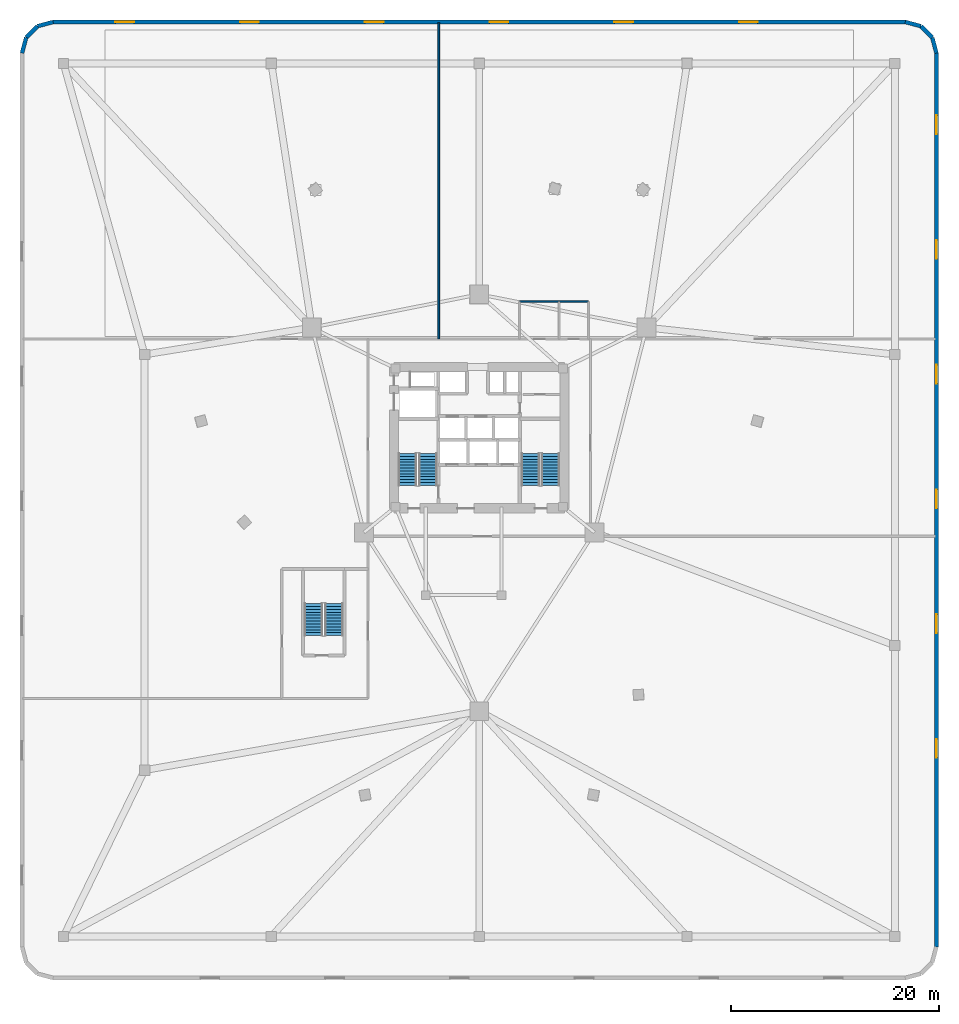
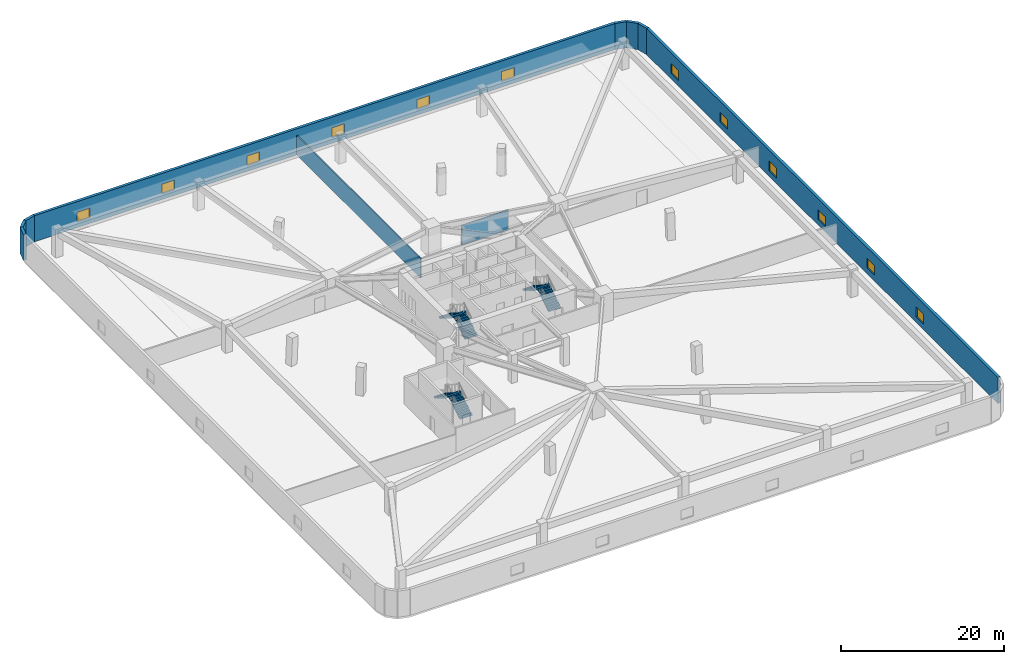
# One storey, part 8 of 10: 12 windows, 10 walls, 6 stair flights, 12 openings, 3 elements without a shape of their own.
"""IFC4 building model written with IfcOpenShell, lengths in metres."""

import ifcopenshell
import ifcopenshell.guid

model = None  # the IFC model being written
_history = None  # IfcOwnerHistory: only IFC2X3 demands one
_inside = {}  # id of a spatial element -> (the spatial element, [elements in it])
_under = {}  # id of a project, library or spatial element -> (it, [spatial elements below it])
_declared = {}  # id of a project -> (the project, [libraries it declares])
_typed = {}  # id of a type object -> (the type object, [elements of that type])
_made_of = {}  # id of a material, layer set ... -> (it, [elements and type objects made of it])


def new_model(schema):
    """Start an empty IFC model of exactly this schema.

    Asked for "IFC4X3", IfcOpenShell would pick the latest addendum, in which some entities
    have other attributes; the version numbers below select the first issue.
    IFC2X3 requires an IfcOwnerHistory on every rooted entity: one is made here for all.
    """
    global model, _history
    if schema == "IFC4X3":
        model = ifcopenshell.file(schema_version=(4, 3, 0, 0))
    else:
        model = ifcopenshell.file(schema=schema)
    _inside.clear()
    _under.clear()
    _declared.clear()
    _typed.clear()
    _made_of.clear()
    _history = None
    if model.schema == "IFC2X3":
        org = make("IfcOrganization", Name="unknown")
        user = make(
            "IfcPersonAndOrganization",
            ThePerson=make("IfcPerson", FamilyName="unknown"),
            TheOrganization=org,
        )
        app = make(
            "IfcApplication",
            ApplicationDeveloper=org,
            Version="unknown",
            ApplicationFullName="unknown",
            ApplicationIdentifier="unknown",
        )
        _history = make(
            "IfcOwnerHistory",
            OwningUser=user,
            OwningApplication=app,
            ChangeAction="ADDED",
            CreationDate=0,
        )
    return model


def make(cls, **values):
    """One entity of the class cls with the attributes given. An attribute that is None is left unset."""
    return model.create_entity(
        cls, **{name: value for name, value in values.items() if value is not None}
    )


def rooted(cls, **values):
    """An entity with a GlobalId (a new one), such as an element, a storey or a relation."""
    return make(cls, GlobalId=ifcopenshell.guid.new(), OwnerHistory=_history, **values)


def si_unit(unit_type, name, prefix=None):
    """IfcSIUnit, for example si_unit("LENGTHUNIT", "METRE", prefix="MILLI")."""
    return make("IfcSIUnit", UnitType=unit_type, Prefix=prefix, Name=name)


def assignment(units):
    """IfcUnitAssignment: the units of a project."""
    return None if units is None else make("IfcUnitAssignment", Units=units)


def point(xyz):
    """IfcCartesianPoint."""
    return None if xyz is None else make("IfcCartesianPoint", Coordinates=xyz)


def direction(xyz):
    """IfcDirection."""
    return None if xyz is None else make("IfcDirection", DirectionRatios=xyz)


def frame(location, z_axis=None, x_axis=None):
    """IfcAxis2Placement3D, a coordinate frame: its origin and axes. An axis left out is left unset."""
    return make(
        "IfcAxis2Placement3D",
        Location=point(location),
        Axis=direction(z_axis),
        RefDirection=direction(x_axis),
    )


def frame_2d(location, x_axis=None):
    """IfcAxis2Placement2D, a coordinate frame in the plane: its origin and x axis."""
    return make(
        "IfcAxis2Placement2D", Location=point(location), RefDirection=direction(x_axis)
    )


def origin():
    """The frame at (0, 0, 0) with its axes left unset."""
    return frame((0.0, 0.0, 0.0))


def place(relative_to, where):
    """IfcLocalPlacement: puts the frame where relative to a parent placement (None: the world)."""
    return make(
        "IfcLocalPlacement", PlacementRelTo=relative_to, RelativePlacement=where
    )


def context(
    kind, dimensions, precision=None, world=None, true_north=None, identifier=None
):
    """IfcGeometricRepresentationContext, for example the 3D "Model" context."""
    return make(
        "IfcGeometricRepresentationContext",
        ContextIdentifier=identifier,
        ContextType=kind,
        CoordinateSpaceDimension=dimensions,
        Precision=precision,
        WorldCoordinateSystem=world,
        TrueNorth=true_north,
    )


def subcontext(parent, identifier, kind, view, scale=None):
    """IfcGeometricRepresentationSubContext, for example "Body" below "Model"."""
    return make(
        "IfcGeometricRepresentationSubContext",
        ContextIdentifier=identifier,
        ContextType=kind,
        ParentContext=parent,
        TargetScale=scale,
        TargetView=view,
    )


def project(units=None, contexts=None):
    """IfcProject with its units and contexts."""
    return rooted(
        "IfcProject",
        Name="project",
        RepresentationContexts=contexts,
        UnitsInContext=assignment(units),
    )


def spatial(cls, under=None, at=None, **own):
    """A site, building, storey or space (cls), placed at a placement, below another one or the project."""
    s = rooted(cls, ObjectPlacement=at, **own)
    if under is not None:
        _under.setdefault(under.id(), (under, []))[1].append(s)
    return s


def polyline(points):
    """IfcPolyline through the points."""
    return make("IfcPolyline", Points=[point(p) for p in points])


def profile(cls, at=None, kind="AREA", **sizes):
    """A parametric profile (cls). Its sizes go by their IFC names, for example OverallWidth=200.0."""
    return make(cls, ProfileType=kind, Position=at, **sizes)


def rectangle(**sizes):
    """IfcRectangleProfileDef."""
    return profile("IfcRectangleProfileDef", **sizes)


def outline(outer, holes=None, kind="AREA"):
    """IfcArbitraryClosedProfileDef: a profile drawn as a closed curve; with holes, ...WithVoids."""
    if holes is None:
        return make("IfcArbitraryClosedProfileDef", ProfileType=kind, OuterCurve=outer)
    return make(
        "IfcArbitraryProfileDefWithVoids",
        ProfileType=kind,
        OuterCurve=outer,
        InnerCurves=holes,
    )


def extrude(swept, where, along, depth):
    """IfcExtrudedAreaSolid: the profile swept, set in the frame where, extruded along a direction by depth."""
    return make(
        "IfcExtrudedAreaSolid",
        SweptArea=swept,
        Position=where,
        ExtrudedDirection=direction(along),
        Depth=depth,
    )


def shape(context_of_items, identifier, shape_type, items):
    """IfcShapeRepresentation: the items that make up one representation, for example the "Body"."""
    return make(
        "IfcShapeRepresentation",
        ContextOfItems=context_of_items,
        RepresentationIdentifier=identifier,
        RepresentationType=shape_type,
        Items=items,
    )


def material(Name=None, Category=None):
    """IfcMaterial."""
    return make("IfcMaterial", Name=Name, Category=Category)


def layer(
    of_material, thickness, ventilated=None, Name=None, Category=None, Priority=None
):
    """IfcMaterialLayer: one layer of a wall or slab, of a material (None: an air gap)."""
    return make(
        "IfcMaterialLayer",
        Material=of_material,
        LayerThickness=thickness,
        IsVentilated=ventilated,
        Name=Name,
        Category=Category,
        Priority=Priority,
    )


def layer_set(layers, Name=None):
    """IfcMaterialLayerSet."""
    return make("IfcMaterialLayerSet", MaterialLayers=layers, LayerSetName=Name)


def made_of(thing, what):
    """Note that an element or type object is made of a material, layer set ...; save() writes the relation."""
    if what is not None:
        _made_of.setdefault(what.id(), (what, []))[1].append(thing)
    return thing


def type_object(cls, material=None, **own):
    """A type object (cls), such as IfcWallType, which elements share."""
    return made_of(rooted(cls, **own), material)


def element(
    cls,
    number,
    at=None,
    inside=None,
    cuts=None,
    type_object=None,
    material=None,
    context=None,
    identifier="Body",
    shape_type=None,
    held_by="IfcProductDefinitionShape",
    body=None,
    shapes=None,
    **own,
):
    """One element of the class cls, such as IfcWall. Its Tag is "e" and its number.

    at: its placement. inside: the storey or other place that contains it. cuts: it is an
    opening in that element (IfcRelVoidsElement). A single representation is given by context,
    identifier, shape_type and body (its items); several are given by shapes. held_by: the class
    of the entity that holds the representations. save() writes the other relations.
    """
    e = rooted(cls, Tag="e%d" % number, ObjectPlacement=at, **own)
    if body is not None:
        shapes = [shape(context, identifier, shape_type, body)]
    if shapes is not None:
        e.Representation = make(held_by, Representations=shapes)
    if inside is not None:
        _inside.setdefault(inside.id(), (inside, []))[1].append(e)
    if cuts is not None:
        rooted(
            "IfcRelVoidsElement", RelatingBuildingElement=cuts, RelatedOpeningElement=e
        )
    if type_object is not None:
        _typed.setdefault(type_object.id(), (type_object, []))[1].append(e)
    return made_of(e, material)


def fill(opening, filler):
    """IfcRelFillsElement: the door or window that sits in an opening."""
    return rooted(
        "IfcRelFillsElement",
        RelatingOpeningElement=opening,
        RelatedBuildingElement=filler,
    )


def aggregate(whole, parts):
    """IfcRelAggregates: a whole, such as a stair, and the parts it consists of."""
    return rooted("IfcRelAggregates", RelatingObject=whole, RelatedObjects=parts)


def save(model, path):
    """Write the relations noted so far, then the file.

    IfcRelAggregates (storeys below a building ...), IfcRelContainedInSpatialStructure (elements
    in a storey), IfcRelDefinesByType, IfcRelAssociatesMaterial and IfcRelDeclares: one each for
    every whole, place, type object, material and project.
    """
    for whole, parts in _under.values():
        aggregate(whole, parts)
    for where, things in _inside.values():
        rooted(
            "IfcRelContainedInSpatialStructure",
            RelatedElements=things,
            RelatingStructure=where,
        )
    for kind, things in _typed.values():
        rooted("IfcRelDefinesByType", RelatedObjects=things, RelatingType=kind)
    for what, things in _made_of.values():
        rooted("IfcRelAssociatesMaterial", RelatedObjects=things, RelatingMaterial=what)
    for by, libraries in _declared.values():
        rooted("IfcRelDeclares", RelatingContext=by, RelatedDefinitions=libraries)
    model.write(path)


model = new_model("IFC4")

# Units and contexts
model_context = context("Model", 3, precision=1e-05, world=origin(), true_north=direction((0.0, 1.0)))
body_context = subcontext(model_context, "Body", "Model", "MODEL_VIEW")
ifc_project = project(units=[si_unit("LENGTHUNIT", "METRE"), si_unit("AREAUNIT", "SQUARE_METRE"), si_unit("VOLUMEUNIT", "CUBIC_METRE"), si_unit("PLANEANGLEUNIT", "RADIAN"), si_unit("MASSUNIT", "GRAM", prefix="KILO")], contexts=[model_context])

# Site, building, storey
site_placement = place(None, origin())
site = spatial("IfcSite", under=ifc_project, at=site_placement, CompositionType="ELEMENT")
building_placement = place(site_placement, origin())
building = spatial("IfcBuilding", under=site, at=building_placement, Name="Talyreon Biosciences Tower", CompositionType="ELEMENT")
storey_placement = place(building_placement, frame((0.0, 0.0, 10.199951171875)))
storey = spatial("IfcBuildingStorey", under=building, at=storey_placement, Name="L02", CompositionType="ELEMENT", Elevation=10.199951171875)

# Walls
ifc_material_1 = material(Name="Gypsum acoustic stud partition", Category="gypsum")
ifc_layer_1 = layer(ifc_material_1, 0.159912109375)
ifc_layer_set_1 = layer_set([ifc_layer_1], Name="Gypsum acoustic stud partition")
wall_type_1 = type_object("IfcWallType", Name="LabSeparationPartition_160", PredefinedType="PARTITIONING", material=ifc_layer_set_1)
wall_1_placement = place(storey_placement, frame((62.10009765625, 77.5, 0.0), z_axis=(0.0, 0.0, 1.0), x_axis=(0.0, 1.0, 0.0)))
element("IfcWall", 1, at=wall_1_placement, inside=storey, type_object=wall_type_1, Name="L02 Interior Wall IW-L02-NDIV", PredefinedType="PARTITIONING", context=body_context, shape_type="SweptSolid", body=[
    extrude(rectangle(XDim=30.4150390625, YDim=0.159912109375, at=frame_2d((15.20751953125, 0.0))), origin(), (0.0, 0.0, 1.0), 2.929931640625),
])
ifc_material_2 = material(Name="Precast concrete C45/55", Category="concrete")
ifc_layer_2 = layer(ifc_material_2, 0.3798828125)
ifc_layer_set_2 = layer_set([ifc_layer_2], Name="Precast concrete C45/55")
wall_type_2 = type_object("IfcWallType", Name="PrecastConcretePodiumWall_380", PredefinedType="STANDARD", material=ifc_layer_set_2)
for number, where, z_axis, x_axis, name in (
    (2, (22.0, 105.0, 0.0), (0.0, 0.0, 1.0), (0.258777996848, 0.965936824201, 0.0), "L02 Podium Concrete Frame Wall 06"),
    (3, (22.40185546875, 106.5, 0.0), (0.0, 0.0, 1.0), (0.707106781187, 0.707106781187, 0.0), "L02 Podium Concrete Frame Wall 07"),
    (4, (23.5, 107.59814453125, 0.0), (0.0, 0.0, 1.0), (0.965936824201, 0.258777996848, 0.0), "L02 Podium Concrete Frame Wall 08"),
):
    element("IfcWall", number, at=place(storey_placement, frame(where, z_axis=z_axis, x_axis=x_axis)), inside=storey, type_object=wall_type_2, Name=name, PredefinedType="STANDARD", context=body_context, shape_type="SweptSolid", body=[
        extrude(rectangle(XDim=1.552978515625, YDim=0.3798828125, at=frame_2d((0.7763671875, 0.0))), origin(), (0.0, 0.0, 1.0), 3.900146484375),
    ])

# Wall, openings, windows
wall_2_placement = place(storey_placement, frame((25.0, 108.0, 0.0), z_axis=(0.0, 0.0, 1.0), x_axis=(1.0, 0.0, 0.0)))
wall_2 = element("IfcWall", 5, at=wall_2_placement, inside=storey, type_object=wall_type_2, Name="L02 Podium Concrete Frame Wall 09", PredefinedType="STANDARD", context=body_context, shape_type="SweptSolid", body=[
    extrude(rectangle(XDim=82.0, YDim=0.3798828125, at=frame_2d((41.0, 0.0))), origin(), (0.0, 0.0, 1.0), 3.900146484375),
])
opening_1_placement = place(wall_2_placement, frame((6.0, 0.0, 0.85009765625)))
opening_1 = element("IfcOpeningElement", 6, at=opening_1_placement, cuts=wall_2, Name="Opening W02", PredefinedType="OPENING", context=body_context, shape_type="SweptSolid", body=[
    extrude(rectangle(XDim=1.800048828125, YDim=1.449951171875, at=frame_2d((0.89990234375, 0.72509765625))), frame((0.0, 0.199951171875, 0.0), z_axis=(0.0, -1.0, 0.0), x_axis=(1.0, 0.0, 0.0)), (0.0, 0.0, 1.0), 0.39990234375),
])
opening_2_placement = place(wall_2_placement, frame((18.0, 0.0, 0.85009765625)))
opening_2 = element("IfcOpeningElement", 7, at=opening_2_placement, cuts=wall_2, Name="Opening W02", PredefinedType="OPENING", context=body_context, shape_type="SweptSolid", body=[
    extrude(rectangle(XDim=1.800048828125, YDim=1.449951171875, at=frame_2d((0.89990234375, 0.72509765625))), frame((0.0, 0.199951171875, 0.0), z_axis=(0.0, -1.0, 0.0), x_axis=(1.0, 0.0, 0.0)), (0.0, 0.0, 1.0), 0.39990234375),
])
opening_3_placement = place(wall_2_placement, frame((30.0, 0.0, 0.85009765625)))
opening_3 = element("IfcOpeningElement", 8, at=opening_3_placement, cuts=wall_2, Name="Opening W02", PredefinedType="OPENING", context=body_context, shape_type="SweptSolid", body=[
    extrude(rectangle(XDim=1.800048828125, YDim=1.449951171875, at=frame_2d((0.89990234375, 0.72509765625))), frame((0.0, 0.199951171875, 0.0), z_axis=(0.0, -1.0, 0.0), x_axis=(1.0, 0.0, 0.0)), (0.0, 0.0, 1.0), 0.39990234375),
])
opening_4_placement = place(wall_2_placement, frame((42.0, 0.0, 0.85009765625)))
opening_4 = element("IfcOpeningElement", 9, at=opening_4_placement, cuts=wall_2, Name="Opening W02", PredefinedType="OPENING", context=body_context, shape_type="SweptSolid", body=[
    extrude(rectangle(XDim=1.800048828125, YDim=1.449951171875, at=frame_2d((0.89990234375, 0.72509765625))), frame((0.0, 0.199951171875, 0.0), z_axis=(0.0, -1.0, 0.0), x_axis=(1.0, 0.0, 0.0)), (0.0, 0.0, 1.0), 0.39990234375),
])
opening_5_placement = place(wall_2_placement, frame((54.0, 0.0, 0.85009765625)))
opening_5 = element("IfcOpeningElement", 10, at=opening_5_placement, cuts=wall_2, Name="Opening W02", PredefinedType="OPENING", context=body_context, shape_type="SweptSolid", body=[
    extrude(rectangle(XDim=1.800048828125, YDim=1.449951171875, at=frame_2d((0.89990234375, 0.72509765625))), frame((0.0, 0.199951171875, 0.0), z_axis=(0.0, -1.0, 0.0), x_axis=(1.0, 0.0, 0.0)), (0.0, 0.0, 1.0), 0.39990234375),
])
opening_6_placement = place(wall_2_placement, frame((66.0, 0.0, 0.85009765625)))
opening_6 = element("IfcOpeningElement", 11, at=opening_6_placement, cuts=wall_2, Name="Opening W02", PredefinedType="OPENING", context=body_context, shape_type="SweptSolid", body=[
    extrude(rectangle(XDim=1.800048828125, YDim=1.449951171875, at=frame_2d((0.89990234375, 0.72509765625))), frame((0.0, 0.199951171875, 0.0), z_axis=(0.0, -1.0, 0.0), x_axis=(1.0, 0.0, 0.0)), (0.0, 0.0, 1.0), 0.39990234375),
])
ifc_material_3 = material(Name="Thermally broken triple low-E aluminium window", Category="aluminium")
window_type = type_object("IfcWindowType", Name="PodiumPunchedWindow_1800x1450", PartitioningType="DOUBLE_PANEL_VERTICAL", PredefinedType="WINDOW", material=ifc_material_3)
window_1_placement = place(opening_1_placement, origin())
window_1 = element("IfcWindow", 12, at=window_1_placement, inside=storey, type_object=window_type, Name="L02 Podium Facade Window 09.01", OverallHeight=1.449951171875, OverallWidth=1.800048828125, PartitioningType="SINGLE_PANEL", PredefinedType="WINDOW", context=body_context, shape_type="SweptSolid", body=[
    extrude(rectangle(XDim=1.800048828125, YDim=1.449951171875, at=frame_2d((0.89990234375, 0.72509765625))), frame((0.0, 0.030029296875, 0.0), z_axis=(0.0, -1.0, 0.0), x_axis=(1.0, 0.0, 0.0)), (0.0, 0.0, 1.0), 0.06005859375),
])
fill(opening_1, window_1)
window_2_placement = place(opening_2_placement, origin())
window_2 = element("IfcWindow", 13, at=window_2_placement, inside=storey, type_object=window_type, Name="L02 Podium Facade Window 09.02", OverallHeight=1.449951171875, OverallWidth=1.800048828125, PartitioningType="SINGLE_PANEL", PredefinedType="WINDOW", context=body_context, shape_type="SweptSolid", body=[
    extrude(rectangle(XDim=1.800048828125, YDim=1.449951171875, at=frame_2d((0.89990234375, 0.72509765625))), frame((0.0, 0.030029296875, 0.0), z_axis=(0.0, -1.0, 0.0), x_axis=(1.0, 0.0, 0.0)), (0.0, 0.0, 1.0), 0.06005859375),
])
fill(opening_2, window_2)
window_3_placement = place(opening_3_placement, origin())
window_3 = element("IfcWindow", 14, at=window_3_placement, inside=storey, type_object=window_type, Name="L02 Podium Facade Window 09.03", OverallHeight=1.449951171875, OverallWidth=1.800048828125, PartitioningType="SINGLE_PANEL", PredefinedType="WINDOW", context=body_context, shape_type="SweptSolid", body=[
    extrude(rectangle(XDim=1.800048828125, YDim=1.449951171875, at=frame_2d((0.89990234375, 0.72509765625))), frame((0.0, 0.030029296875, 0.0), z_axis=(0.0, -1.0, 0.0), x_axis=(1.0, 0.0, 0.0)), (0.0, 0.0, 1.0), 0.06005859375),
])
fill(opening_3, window_3)
window_4_placement = place(opening_4_placement, origin())
window_4 = element("IfcWindow", 15, at=window_4_placement, inside=storey, type_object=window_type, Name="L02 Podium Facade Window 09.04", OverallHeight=1.449951171875, OverallWidth=1.800048828125, PartitioningType="SINGLE_PANEL", PredefinedType="WINDOW", context=body_context, shape_type="SweptSolid", body=[
    extrude(rectangle(XDim=1.800048828125, YDim=1.449951171875, at=frame_2d((0.89990234375, 0.72509765625))), frame((0.0, 0.030029296875, 0.0), z_axis=(0.0, -1.0, 0.0), x_axis=(1.0, 0.0, 0.0)), (0.0, 0.0, 1.0), 0.06005859375),
])
fill(opening_4, window_4)
window_5_placement = place(opening_5_placement, origin())
window_5 = element("IfcWindow", 16, at=window_5_placement, inside=storey, type_object=window_type, Name="L02 Podium Facade Window 09.05", OverallHeight=1.449951171875, OverallWidth=1.800048828125, PartitioningType="SINGLE_PANEL", PredefinedType="WINDOW", context=body_context, shape_type="SweptSolid", body=[
    extrude(rectangle(XDim=1.800048828125, YDim=1.449951171875, at=frame_2d((0.89990234375, 0.72509765625))), frame((0.0, 0.030029296875, 0.0), z_axis=(0.0, -1.0, 0.0), x_axis=(1.0, 0.0, 0.0)), (0.0, 0.0, 1.0), 0.06005859375),
])
fill(opening_5, window_5)
window_6_placement = place(opening_6_placement, origin())
window_6 = element("IfcWindow", 17, at=window_6_placement, inside=storey, type_object=window_type, Name="L02 Podium Facade Window 09.06", OverallHeight=1.449951171875, OverallWidth=1.800048828125, PartitioningType="SINGLE_PANEL", PredefinedType="WINDOW", context=body_context, shape_type="SweptSolid", body=[
    extrude(rectangle(XDim=1.800048828125, YDim=1.449951171875, at=frame_2d((0.89990234375, 0.72509765625))), frame((0.0, 0.030029296875, 0.0), z_axis=(0.0, -1.0, 0.0), x_axis=(1.0, 0.0, 0.0)), (0.0, 0.0, 1.0), 0.06005859375),
])
fill(opening_6, window_6)

# Walls
for number, where, z_axis, x_axis, name in (
    (18, (107.0, 108.0, 0.0), (0.0, 0.0, 1.0), (0.965936824201, -0.258777996848, 0.0), "L02 Podium Concrete Frame Wall 10"),
    (19, (108.5, 107.59814453125, 0.0), (0.0, 0.0, 1.0), (0.707106781187, -0.707106781187, 0.0), "L02 Podium Concrete Frame Wall 11"),
    (20, (109.59814453125, 106.5, 0.0), (0.0, 0.0, 1.0), (0.258777996848, -0.965936824201, 0.0), "L02 Podium Concrete Frame Wall 12"),
):
    element("IfcWall", number, at=place(storey_placement, frame(where, z_axis=z_axis, x_axis=x_axis)), inside=storey, type_object=wall_type_2, Name=name, PredefinedType="STANDARD", context=body_context, shape_type="SweptSolid", body=[
        extrude(rectangle(XDim=1.552978515625, YDim=0.3798828125, at=frame_2d((0.7763671875, 0.0))), origin(), (0.0, 0.0, 1.0), 3.900146484375),
    ])

# Wall, openings, windows
wall_3_placement = place(storey_placement, frame((110.0, 105.0, 0.0), z_axis=(0.0, 0.0, 1.0), x_axis=(0.0, -1.0, 0.0)))
wall_3 = element("IfcWall", 21, at=wall_3_placement, inside=storey, type_object=wall_type_2, Name="L02 Podium Concrete Frame Wall 13", PredefinedType="STANDARD", context=body_context, shape_type="SweptSolid", body=[
    extrude(rectangle(XDim=86.0, YDim=0.3798828125, at=frame_2d((43.0, 0.0))), origin(), (0.0, 0.0, 1.0), 3.900146484375),
])
opening_7_placement = place(wall_3_placement, frame((6.0, 0.0, 0.85009765625)))
opening_7 = element("IfcOpeningElement", 22, at=opening_7_placement, cuts=wall_3, Name="Opening W02", PredefinedType="OPENING", context=body_context, shape_type="SweptSolid", body=[
    extrude(rectangle(XDim=1.800048828125, YDim=1.449951171875, at=frame_2d((0.89990234375, 0.72509765625))), frame((0.0, 0.199951171875, 0.0), z_axis=(0.0, -1.0, 0.0), x_axis=(1.0, 0.0, 0.0)), (0.0, 0.0, 1.0), 0.39990234375),
])
opening_8_placement = place(wall_3_placement, frame((18.0, 0.0, 0.85009765625)))
opening_8 = element("IfcOpeningElement", 23, at=opening_8_placement, cuts=wall_3, Name="Opening W02", PredefinedType="OPENING", context=body_context, shape_type="SweptSolid", body=[
    extrude(rectangle(XDim=1.800048828125, YDim=1.449951171875, at=frame_2d((0.89990234375, 0.72509765625))), frame((0.0, 0.199951171875, 0.0), z_axis=(0.0, -1.0, 0.0), x_axis=(1.0, 0.0, 0.0)), (0.0, 0.0, 1.0), 0.39990234375),
])
opening_9_placement = place(wall_3_placement, frame((30.0, 0.0, 0.85009765625)))
opening_9 = element("IfcOpeningElement", 24, at=opening_9_placement, cuts=wall_3, Name="Opening W02", PredefinedType="OPENING", context=body_context, shape_type="SweptSolid", body=[
    extrude(rectangle(XDim=1.800048828125, YDim=1.449951171875, at=frame_2d((0.89990234375, 0.72509765625))), frame((0.0, 0.199951171875, 0.0), z_axis=(0.0, -1.0, 0.0), x_axis=(1.0, 0.0, 0.0)), (0.0, 0.0, 1.0), 0.39990234375),
])
opening_10_placement = place(wall_3_placement, frame((42.0, 0.0, 0.85009765625)))
opening_10 = element("IfcOpeningElement", 25, at=opening_10_placement, cuts=wall_3, Name="Opening W02", PredefinedType="OPENING", context=body_context, shape_type="SweptSolid", body=[
    extrude(rectangle(XDim=1.800048828125, YDim=1.449951171875, at=frame_2d((0.89990234375, 0.72509765625))), frame((0.0, 0.199951171875, 0.0), z_axis=(0.0, -1.0, 0.0), x_axis=(1.0, 0.0, 0.0)), (0.0, 0.0, 1.0), 0.39990234375),
])
opening_11_placement = place(wall_3_placement, frame((54.0, 0.0, 0.85009765625)))
opening_11 = element("IfcOpeningElement", 26, at=opening_11_placement, cuts=wall_3, Name="Opening W02", PredefinedType="OPENING", context=body_context, shape_type="SweptSolid", body=[
    extrude(rectangle(XDim=1.800048828125, YDim=1.449951171875, at=frame_2d((0.89990234375, 0.72509765625))), frame((0.0, 0.199951171875, 0.0), z_axis=(0.0, -1.0, 0.0), x_axis=(1.0, 0.0, 0.0)), (0.0, 0.0, 1.0), 0.39990234375),
])
opening_12_placement = place(wall_3_placement, frame((66.0, 0.0, 0.85009765625)))
opening_12 = element("IfcOpeningElement", 27, at=opening_12_placement, cuts=wall_3, Name="Opening W02", PredefinedType="OPENING", context=body_context, shape_type="SweptSolid", body=[
    extrude(rectangle(XDim=1.800048828125, YDim=1.449951171875, at=frame_2d((0.89990234375, 0.72509765625))), frame((0.0, 0.199951171875, 0.0), z_axis=(0.0, -1.0, 0.0), x_axis=(1.0, 0.0, 0.0)), (0.0, 0.0, 1.0), 0.39990234375),
])
window_7_placement = place(opening_7_placement, origin())
window_7 = element("IfcWindow", 28, at=window_7_placement, inside=storey, type_object=window_type, Name="L02 Podium Facade Window 13.01", OverallHeight=1.449951171875, OverallWidth=1.800048828125, PartitioningType="SINGLE_PANEL", PredefinedType="WINDOW", context=body_context, shape_type="SweptSolid", body=[
    extrude(rectangle(XDim=1.800048828125, YDim=1.449951171875, at=frame_2d((0.89990234375, 0.72509765625))), frame((0.0, 0.030029296875, 0.0), z_axis=(0.0, -1.0, 0.0), x_axis=(1.0, 0.0, 0.0)), (0.0, 0.0, 1.0), 0.06005859375),
])
fill(opening_7, window_7)
window_8_placement = place(opening_8_placement, origin())
window_8 = element("IfcWindow", 29, at=window_8_placement, inside=storey, type_object=window_type, Name="L02 Podium Facade Window 13.02", OverallHeight=1.449951171875, OverallWidth=1.800048828125, PartitioningType="SINGLE_PANEL", PredefinedType="WINDOW", context=body_context, shape_type="SweptSolid", body=[
    extrude(rectangle(XDim=1.800048828125, YDim=1.449951171875, at=frame_2d((0.89990234375, 0.72509765625))), frame((0.0, 0.030029296875, 0.0), z_axis=(0.0, -1.0, 0.0), x_axis=(1.0, 0.0, 0.0)), (0.0, 0.0, 1.0), 0.06005859375),
])
fill(opening_8, window_8)
window_9_placement = place(opening_9_placement, origin())
window_9 = element("IfcWindow", 30, at=window_9_placement, inside=storey, type_object=window_type, Name="L02 Podium Facade Window 13.03", OverallHeight=1.449951171875, OverallWidth=1.800048828125, PartitioningType="SINGLE_PANEL", PredefinedType="WINDOW", context=body_context, shape_type="SweptSolid", body=[
    extrude(rectangle(XDim=1.800048828125, YDim=1.449951171875, at=frame_2d((0.89990234375, 0.72509765625))), frame((0.0, 0.030029296875, 0.0), z_axis=(0.0, -1.0, 0.0), x_axis=(1.0, 0.0, 0.0)), (0.0, 0.0, 1.0), 0.06005859375),
])
fill(opening_9, window_9)
window_10_placement = place(opening_10_placement, origin())
window_10 = element("IfcWindow", 31, at=window_10_placement, inside=storey, type_object=window_type, Name="L02 Podium Facade Window 13.04", OverallHeight=1.449951171875, OverallWidth=1.800048828125, PartitioningType="SINGLE_PANEL", PredefinedType="WINDOW", context=body_context, shape_type="SweptSolid", body=[
    extrude(rectangle(XDim=1.800048828125, YDim=1.449951171875, at=frame_2d((0.89990234375, 0.72509765625))), frame((0.0, 0.030029296875, 0.0), z_axis=(0.0, -1.0, 0.0), x_axis=(1.0, 0.0, 0.0)), (0.0, 0.0, 1.0), 0.06005859375),
])
fill(opening_10, window_10)
window_11_placement = place(opening_11_placement, origin())
window_11 = element("IfcWindow", 32, at=window_11_placement, inside=storey, type_object=window_type, Name="L02 Podium Facade Window 13.05", OverallHeight=1.449951171875, OverallWidth=1.800048828125, PartitioningType="SINGLE_PANEL", PredefinedType="WINDOW", context=body_context, shape_type="SweptSolid", body=[
    extrude(rectangle(XDim=1.800048828125, YDim=1.449951171875, at=frame_2d((0.89990234375, 0.72509765625))), frame((0.0, 0.030029296875, 0.0), z_axis=(0.0, -1.0, 0.0), x_axis=(1.0, 0.0, 0.0)), (0.0, 0.0, 1.0), 0.06005859375),
])
fill(opening_11, window_11)
window_12_placement = place(opening_12_placement, origin())
window_12 = element("IfcWindow", 33, at=window_12_placement, inside=storey, type_object=window_type, Name="L02 Podium Facade Window 13.06", OverallHeight=1.449951171875, OverallWidth=1.800048828125, PartitioningType="SINGLE_PANEL", PredefinedType="WINDOW", context=body_context, shape_type="SweptSolid", body=[
    extrude(rectangle(XDim=1.800048828125, YDim=1.449951171875, at=frame_2d((0.89990234375, 0.72509765625))), frame((0.0, 0.030029296875, 0.0), z_axis=(0.0, -1.0, 0.0), x_axis=(1.0, 0.0, 0.0)), (0.0, 0.0, 1.0), 0.06005859375),
])
fill(opening_12, window_12)

# Wall
ifc_material_4 = material(Name="Moisture-resistant cement-board stud", Category="gypsum")
ifc_layer_3 = layer(ifc_material_4, 0.14501953125)
ifc_layer_set_3 = layer_set([ifc_layer_3], Name="Moisture-resistant cement-board stud")
wall_type_3 = type_object("IfcWallType", Name="WetRoomPartition_145", PredefinedType="PARTITIONING", material=ifc_layer_set_3)
wall_4_placement = place(storey_placement, frame((69.89990234375, 81.10009765625, 0.0), z_axis=(0.0, 0.0, 1.0), x_axis=(1.0, 0.0, 0.0)))
element("IfcWall", 34, at=wall_4_placement, inside=storey, type_object=wall_type_3, Name="L02 Interior Wall IW-L02-WCT", PredefinedType="PARTITIONING", context=body_context, shape_type="SweptSolid", body=[
    extrude(rectangle(XDim=6.60009765625, YDim=0.14501953125, at=frame_2d((3.300048828125, 0.0))), origin(), (0.0, 0.0, 1.0), 2.97998046875),
])

# Stair, stair flights
ifc_material_5 = material(Name="Concrete C40/50", Category="concrete")
stair_type = type_object("IfcStairType", Name="DoglegEscapeStair_4200", PredefinedType="HALF_TURN_STAIR", material=ifc_material_5)
stair_1_placement = place(storey_placement, origin())
stair_1 = element("IfcStair", 35, at=stair_1_placement, inside=storey, type_object=stair_type, Name="L02 Core Escape Stair 1", PredefinedType="HALF_TURN_STAIR")
stair_flight_type = type_object("IfcStairFlightType", Name="PrecastStairFlight_4200", PredefinedType="STRAIGHT", material=ifc_material_5)
stair_flight_1_placement = place(storey_placement, frame((61.06005859375, 63.39990234375, 0.0), z_axis=(0.0, 0.0, 1.0), x_axis=(0.0, 1.0, 0.0)))
stair_flight_1 = element("IfcStairFlight", 36, at=stair_flight_1_placement, type_object=stair_flight_type, Name="ST-1 flight 1", NumberOfRisers=12, NumberOfTreads=11, PredefinedType="STRAIGHT", RiserHeight=0.175, TreadLength=0.28, context=body_context, shape_type="SweptSolid", body=[
    extrude(outline(polyline([(0.0, 0.0), (0.0, 0.175048828125), (0.280029296875, 0.175048828125), (0.280029296875, 0.35009765625), (0.56005859375, 0.35009765625), (0.56005859375, 0.52490234375), (0.840087890625, 0.52490234375), (0.840087890625, 0.699951171875), (1.1201171875, 0.699951171875), (1.1201171875, 0.875), (1.39990234375, 0.875), (1.39990234375, 1.050048828125), (1.679931640625, 1.050048828125), (1.679931640625, 1.22509765625), (1.9599609375, 1.22509765625), (1.9599609375, 1.39990234375), (2.239990234375, 1.39990234375), (2.239990234375, 1.574951171875), (2.52001953125, 1.574951171875), (2.52001953125, 1.75), (2.800048828125, 1.75), (2.800048828125, 1.925048828125), (3.080078125, 1.925048828125), (3.080078125, 2.10009765625), (3.080078125, 1.748291015625), (0.28271484375, 0.0), (0.0, 0.0)])), frame((0.0, 0.8701171875, 0.0), z_axis=(0.0, -1.0, 0.0), x_axis=(1.0, 0.0, 0.0)), (0.0, 0.0, 1.0), 1.739990234375),
])
stair_flight_2_placement = place(storey_placement, frame((59.1201171875, 66.47998046875, 2.10009765625), z_axis=(0.0, 0.0, 1.0), x_axis=(0.0, -1.0, 0.0)))
stair_flight_2 = element("IfcStairFlight", 37, at=stair_flight_2_placement, type_object=stair_flight_type, Name="ST-1 flight 2", NumberOfRisers=12, NumberOfTreads=11, PredefinedType="STRAIGHT", RiserHeight=0.175, TreadLength=0.28, context=body_context, shape_type="SweptSolid", body=[
    extrude(outline(polyline([(0.0, 0.0), (0.0, 0.175048828125), (0.280029296875, 0.175048828125), (0.280029296875, 0.35009765625), (0.56005859375, 0.35009765625), (0.56005859375, 0.52490234375), (0.840087890625, 0.52490234375), (0.840087890625, 0.699951171875), (1.1201171875, 0.699951171875), (1.1201171875, 0.875), (1.39990234375, 0.875), (1.39990234375, 1.050048828125), (1.679931640625, 1.050048828125), (1.679931640625, 1.22509765625), (1.9599609375, 1.22509765625), (1.9599609375, 1.39990234375), (2.239990234375, 1.39990234375), (2.239990234375, 1.574951171875), (2.52001953125, 1.574951171875), (2.52001953125, 1.75), (2.800048828125, 1.75), (2.800048828125, 1.925048828125), (3.080078125, 1.925048828125), (3.080078125, 2.10009765625), (3.080078125, 1.748291015625), (0.28271484375, 0.0), (0.0, 0.0)])), frame((0.0, 0.8701171875, 0.0), z_axis=(0.0, -1.0, 0.0), x_axis=(1.0, 0.0, 0.0)), (0.0, 0.0, 1.0), 1.739990234375),
])
aggregate(stair_1, [stair_flight_1, stair_flight_2])

stair_2_placement = place(storey_placement, origin())
stair_2 = element("IfcStair", 38, at=stair_2_placement, inside=storey, type_object=stair_type, Name="L02 Core Escape Stair 2", PredefinedType="HALF_TURN_STAIR")
stair_flight_3_placement = place(storey_placement, frame((72.8798828125, 63.39990234375, 0.0), z_axis=(0.0, 0.0, 1.0), x_axis=(0.0, 1.0, 0.0)))
stair_flight_3 = element("IfcStairFlight", 39, at=stair_flight_3_placement, type_object=stair_flight_type, Name="ST-2 flight 1", NumberOfRisers=12, NumberOfTreads=11, PredefinedType="STRAIGHT", RiserHeight=0.175, TreadLength=0.28, context=body_context, shape_type="SweptSolid", body=[
    extrude(outline(polyline([(0.0, 0.0), (0.0, 0.175048828125), (0.280029296875, 0.175048828125), (0.280029296875, 0.35009765625), (0.56005859375, 0.35009765625), (0.56005859375, 0.52490234375), (0.840087890625, 0.52490234375), (0.840087890625, 0.699951171875), (1.1201171875, 0.699951171875), (1.1201171875, 0.875), (1.39990234375, 0.875), (1.39990234375, 1.050048828125), (1.679931640625, 1.050048828125), (1.679931640625, 1.22509765625), (1.9599609375, 1.22509765625), (1.9599609375, 1.39990234375), (2.239990234375, 1.39990234375), (2.239990234375, 1.574951171875), (2.52001953125, 1.574951171875), (2.52001953125, 1.75), (2.800048828125, 1.75), (2.800048828125, 1.925048828125), (3.080078125, 1.925048828125), (3.080078125, 2.10009765625), (3.080078125, 1.748291015625), (0.28271484375, 0.0), (0.0, 0.0)])), frame((0.0, 0.8701171875, 0.0), z_axis=(0.0, -1.0, 0.0), x_axis=(1.0, 0.0, 0.0)), (0.0, 0.0, 1.0), 1.739990234375),
])
stair_flight_4_placement = place(storey_placement, frame((70.93994140625, 66.47998046875, 2.10009765625), z_axis=(0.0, 0.0, 1.0), x_axis=(0.0, -1.0, 0.0)))
stair_flight_4 = element("IfcStairFlight", 40, at=stair_flight_4_placement, type_object=stair_flight_type, Name="ST-2 flight 2", NumberOfRisers=12, NumberOfTreads=11, PredefinedType="STRAIGHT", RiserHeight=0.175, TreadLength=0.28, context=body_context, shape_type="SweptSolid", body=[
    extrude(outline(polyline([(0.0, 0.0), (0.0, 0.175048828125), (0.280029296875, 0.175048828125), (0.280029296875, 0.35009765625), (0.56005859375, 0.35009765625), (0.56005859375, 0.52490234375), (0.840087890625, 0.52490234375), (0.840087890625, 0.699951171875), (1.1201171875, 0.699951171875), (1.1201171875, 0.875), (1.39990234375, 0.875), (1.39990234375, 1.050048828125), (1.679931640625, 1.050048828125), (1.679931640625, 1.22509765625), (1.9599609375, 1.22509765625), (1.9599609375, 1.39990234375), (2.239990234375, 1.39990234375), (2.239990234375, 1.574951171875), (2.52001953125, 1.574951171875), (2.52001953125, 1.75), (2.800048828125, 1.75), (2.800048828125, 1.925048828125), (3.080078125, 1.925048828125), (3.080078125, 2.10009765625), (3.080078125, 1.748291015625), (0.28271484375, 0.0), (0.0, 0.0)])), frame((0.0, 0.8701171875, 0.0), z_axis=(0.0, -1.0, 0.0), x_axis=(1.0, 0.0, 0.0)), (0.0, 0.0, 1.0), 1.739990234375),
])
aggregate(stair_2, [stair_flight_3, stair_flight_4])

stair_3_placement = place(storey_placement, origin())
stair_3 = element("IfcStair", 41, at=stair_3_placement, inside=storey, type_object=stair_type, Name="L02 Podium Escape Stair 3", PredefinedType="HALF_TURN_STAIR")
stair_flight_5_placement = place(storey_placement, frame((52.010009765625, 48.949951171875, 0.0), z_axis=(0.0, 0.0, 1.0), x_axis=(0.0, 1.0, 0.0)))
stair_flight_5 = element("IfcStairFlight", 42, at=stair_flight_5_placement, type_object=stair_flight_type, Name="ST-3 flight 1", NumberOfRisers=12, NumberOfTreads=11, PredefinedType="STRAIGHT", RiserHeight=0.175, TreadLength=0.28, context=body_context, shape_type="SweptSolid", body=[
    extrude(outline(polyline([(0.0, 0.0), (0.0, 0.175048828125), (0.280029296875, 0.175048828125), (0.280029296875, 0.35009765625), (0.56005859375, 0.35009765625), (0.56005859375, 0.52490234375), (0.840087890625, 0.52490234375), (0.840087890625, 0.699951171875), (1.1201171875, 0.699951171875), (1.1201171875, 0.875), (1.39990234375, 0.875), (1.39990234375, 1.050048828125), (1.679931640625, 1.050048828125), (1.679931640625, 1.22509765625), (1.9599609375, 1.22509765625), (1.9599609375, 1.39990234375), (2.239990234375, 1.39990234375), (2.239990234375, 1.574951171875), (2.52001953125, 1.574951171875), (2.52001953125, 1.75), (2.800048828125, 1.75), (2.800048828125, 1.925048828125), (3.080078125, 1.925048828125), (3.080078125, 2.10009765625), (3.080078125, 1.748291015625), (0.28271484375, 0.0), (0.0, 0.0)])), frame((0.0, 0.8701171875, 0.0), z_axis=(0.0, -1.0, 0.0), x_axis=(1.0, 0.0, 0.0)), (0.0, 0.0, 1.0), 1.739990234375),
])
stair_flight_6_placement = place(storey_placement, frame((50.070068359375, 52.030029296875, 2.10009765625), z_axis=(0.0, 0.0, 1.0), x_axis=(0.0, -1.0, 0.0)))
stair_flight_6 = element("IfcStairFlight", 43, at=stair_flight_6_placement, type_object=stair_flight_type, Name="ST-3 flight 2", NumberOfRisers=12, NumberOfTreads=11, PredefinedType="STRAIGHT", RiserHeight=0.175, TreadLength=0.28, context=body_context, shape_type="SweptSolid", body=[
    extrude(outline(polyline([(0.0, 0.0), (0.0, 0.175048828125), (0.280029296875, 0.175048828125), (0.280029296875, 0.35009765625), (0.56005859375, 0.35009765625), (0.56005859375, 0.52490234375), (0.840087890625, 0.52490234375), (0.840087890625, 0.699951171875), (1.1201171875, 0.699951171875), (1.1201171875, 0.875), (1.39990234375, 0.875), (1.39990234375, 1.050048828125), (1.679931640625, 1.050048828125), (1.679931640625, 1.22509765625), (1.9599609375, 1.22509765625), (1.9599609375, 1.39990234375), (2.239990234375, 1.39990234375), (2.239990234375, 1.574951171875), (2.52001953125, 1.574951171875), (2.52001953125, 1.75), (2.800048828125, 1.75), (2.800048828125, 1.925048828125), (3.080078125, 1.925048828125), (3.080078125, 2.10009765625), (3.080078125, 1.748291015625), (0.28271484375, 0.0), (0.0, 0.0)])), frame((0.0, 0.8701171875, 0.0), z_axis=(0.0, -1.0, 0.0), x_axis=(1.0, 0.0, 0.0)), (0.0, 0.0, 1.0), 1.739990234375),
])
aggregate(stair_3, [stair_flight_5, stair_flight_6])

save(model, "model.ifc")
